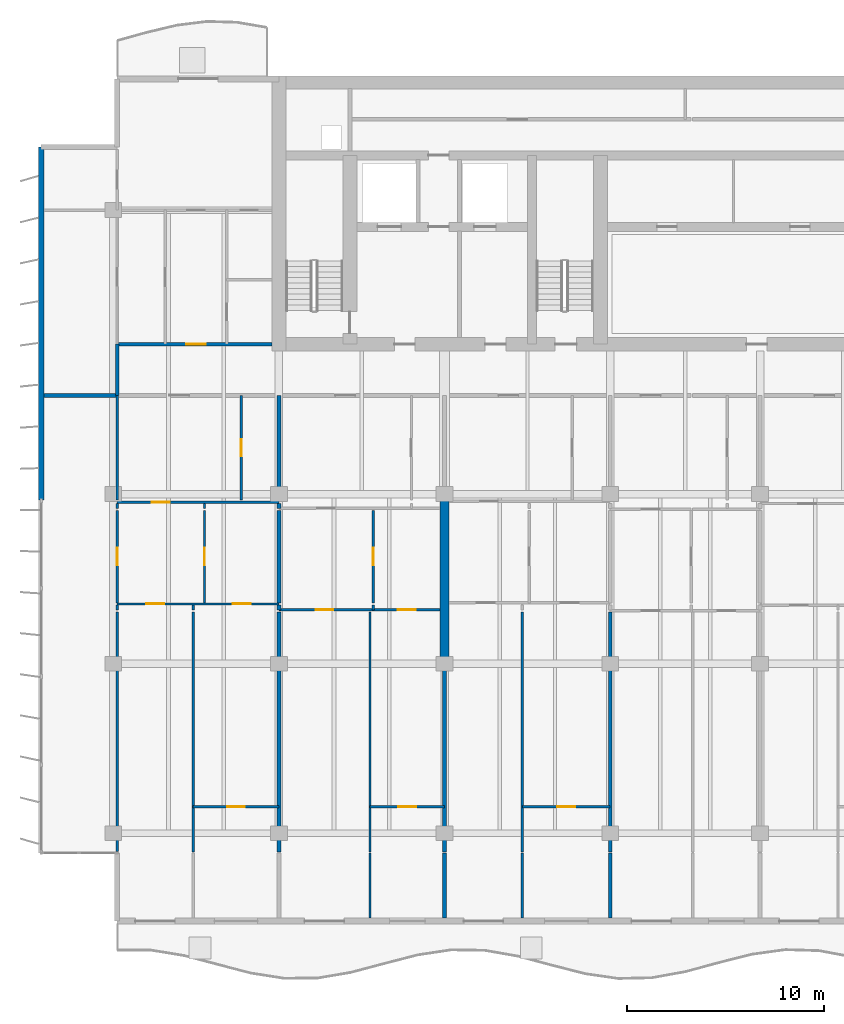
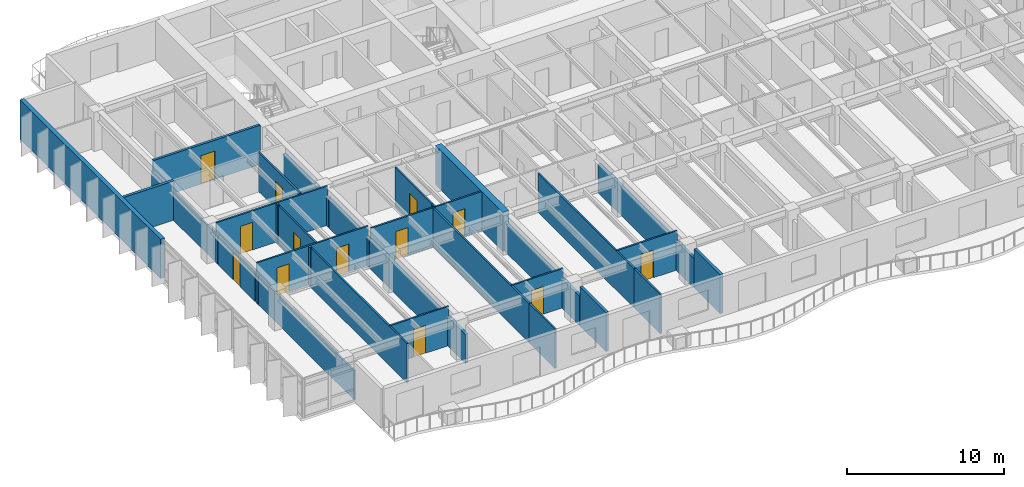
# One storey, part 8 of 19: 36 walls, 13 doors, 13 openings.
"""IFC4 building model written with IfcOpenShell, lengths in metres."""

from ifc_helpers import new_model, si_unit, direction, frame, frame_2d, origin, place, context, subcontext, project, spatial, rectangle, extrude, material, layer, layer_set, type_object, element, fill, save


model = new_model("IFC4")

# Units and contexts
model_context = context("Model", 3, precision=1e-05, world=origin(), true_north=direction((0.0, 1.0)))
body_context = subcontext(model_context, "Body", "Model", "MODEL_VIEW")
ifc_project = project(units=[si_unit("LENGTHUNIT", "METRE"), si_unit("AREAUNIT", "SQUARE_METRE"), si_unit("VOLUMEUNIT", "CUBIC_METRE"), si_unit("PLANEANGLEUNIT", "RADIAN"), si_unit("MASSUNIT", "GRAM", prefix="KILO")], contexts=[model_context])

# Site, building, storey
site_placement = place(None, origin())
site = spatial("IfcSite", under=ifc_project, at=site_placement, CompositionType="ELEMENT")
building_placement = place(site_placement, origin())
building = spatial("IfcBuilding", under=site, at=building_placement, Name="Caelmar Bay Residences", CompositionType="ELEMENT")
storey_placement = place(building_placement, frame((0.0, 0.0, 214.800048828125)))
storey = spatial("IfcBuildingStorey", under=building, at=storey_placement, Name="L60", CompositionType="ELEMENT", Elevation=214.800048828125)

# Walls
ifc_material_1 = material(Name="Concrete f'c 55 MPa (8,000 psi)", Category="concrete")
ifc_layer_1 = layer(ifc_material_1, 0.449951171875)
ifc_layer_set_1 = layer_set([ifc_layer_1], Name="Concrete f'c 55 MPa (8,000 psi)")
wall_type_1 = type_object("IfcWallType", Name="SW-XSLB-450", PredefinedType="SHEAR", material=ifc_layer_set_1)
wall_1_placement = place(storey_placement, frame((26.699951171875, 20.800048828125, 0.0), z_axis=(0.0, 0.0, 1.0), x_axis=(0.0, 1.0, 0.0)))
element("IfcWall", 1, at=wall_1_placement, inside=storey, type_object=wall_type_1, Name="L60 Transverse Cross-Slab Shear Wall W5", PredefinedType="SHEAR", context=body_context, shape_type="SweptSolid", body=[
    extrude(rectangle(XDim=8.599853515625, YDim=0.449951171875, at=frame_2d((4.2998046875, 0.0))), origin(), (0.0, 0.0, 1.0), 3.050048828125),
])
ifc_material_2 = material(Name="Double-stud acoustic fire-rated gypsum partition 180 mm")
ifc_layer_2 = layer(ifc_material_2, 0.179931640625)
ifc_layer_set_2 = layer_set([ifc_layer_2], Name="Double-stud acoustic fire-rated gypsum partition 180 mm")
wall_type_2 = type_object("IfcWallType", Name="W-COR-200", PredefinedType="PARTITIONING", material=ifc_layer_set_2)
wall_2_placement = place(storey_placement, frame((10.10009765625, 34.405029296875, 0.0), z_axis=(0.0, 0.0, 1.0), x_axis=(0.0, 1.0, 0.0)))
element("IfcWall", 2, at=wall_2_placement, inside=storey, type_object=wall_type_2, Name="L60 Partition Wall V006", PredefinedType="PARTITIONING", context=body_context, shape_type="SweptSolid", body=[
    extrude(rectangle(XDim=2.594970703125, YDim=0.179931640625, at=frame_2d((1.29736328125, 0.0))), origin(), (0.0, 0.0, 1.0), 2.262939453125),
])

# Wall, opening, door
wall_3_placement = place(storey_placement, frame((10.10009765625, 37.0, 0.0), z_axis=(0.0, 0.0, 1.0), x_axis=(1.0, 0.0, 0.0)))
wall_3 = element("IfcWall", 3, at=wall_3_placement, inside=storey, type_object=wall_type_2, Name="L60 Partition Wall H130", PredefinedType="PARTITIONING", context=body_context, shape_type="SweptSolid", body=[
    extrude(rectangle(XDim=7.844970703125, YDim=0.179931640625, at=frame_2d((3.92236328125, 0.0))), origin(), (0.0, 0.0, 1.0), 3.050048828125),
])
opening_1_placement = place(wall_3_placement, frame((3.49609375, 0.0, 0.0)))
opening_1 = element("IfcOpeningElement", 4, at=opening_1_placement, cuts=wall_3, Name="Opening D-L60-171", PredefinedType="OPENING", context=body_context, shape_type="SweptSolid", body=[
    extrude(rectangle(XDim=1.0, YDim=2.199951171875, at=frame_2d((0.5, 1.10009765625))), frame((0.0, 0.099853515625, 0.0), z_axis=(0.0, -1.0, 0.0), x_axis=(1.0, 0.0, 0.0)), (0.0, 0.0, 1.0), 0.199951171875),
])
ifc_material_3 = material(Name="Fire-rated steel and walnut architectural door assembly", Category="steel")
ifc_layer_3 = layer(ifc_material_3, 0.050048828125)
ifc_layer_set_3 = layer_set([ifc_layer_3], Name="Fire-rated steel and walnut architectural door assembly")
door_type_1 = type_object("IfcDoorType", Name="D-UNIT-1000", OperationType="NOTDEFINED", PredefinedType="DOOR", material=ifc_layer_set_3)
door_1_placement = place(opening_1_placement, origin())
door_1 = element("IfcDoor", 5, at=door_1_placement, inside=storey, type_object=door_type_1, Name="L60 Residence WA Kitchen Door", OperationType="SINGLE_SWING_RIGHT", OverallHeight=2.199951171875, OverallWidth=1.0, PredefinedType="DOOR", context=body_context, shape_type="SweptSolid", body=[
    extrude(rectangle(XDim=1.0, YDim=2.199951171875, at=frame_2d((0.5, 1.10009765625))), frame((0.0, 0.02490234375, 0.0), z_axis=(0.0, -1.0, 0.0), x_axis=(1.0, 0.0, 0.0)), (0.0, 0.0, 1.0), 0.050048828125),
])
fill(opening_1, door_1)

# Walls
ifc_material_4 = material(Name="Precast concrete f'c 40 MPa (6,000 psi)", Category="concrete")
ifc_layer_4 = layer(ifc_material_4, 0.300048828125)
ifc_layer_set_4 = layer_set([ifc_layer_4], Name="Precast concrete f'c 40 MPa (6,000 psi)")
wall_type_3 = type_object("IfcWallType", Name="W-EXT-300", PredefinedType="STANDARD", material=ifc_layer_set_4)
wall_4_placement = place(storey_placement, frame((6.25, 29.10009765625, 0.0), z_axis=(0.0, 0.0, 1.0), x_axis=(0.0, 1.0, 0.0)))
element("IfcWall", 6, at=wall_4_placement, inside=storey, type_object=wall_type_3, Name="L60 West Rear Exterior Wall", PredefinedType="STANDARD", context=body_context, shape_type="SweptSolid", body=[
    extrude(rectangle(XDim=17.89990234375, YDim=0.300048828125, at=frame_2d((8.949951171875, 0.0))), origin(), (0.0, 0.0, 1.0), 3.050048828125),
])
ifc_material_5 = material(Name="Acoustic metal-stud gypsum partition 120 mm")
ifc_layer_5 = layer(ifc_material_5, 0.1201171875)
ifc_layer_set_5 = layer_set([ifc_layer_5], Name="Acoustic metal-stud gypsum partition 120 mm")
wall_type_4 = type_object("IfcWallType", Name="W-PRT-120", PredefinedType="PARTITIONING", material=ifc_layer_set_5)
wall_5_placement = place(storey_placement, frame((10.10009765625, 11.284912109375, 0.0), z_axis=(0.0, 0.0, 1.0), x_axis=(0.0, 1.0, 0.0)))
element("IfcWall", 7, at=wall_5_placement, inside=storey, type_object=wall_type_4, Name="L60 Partition Wall V001", PredefinedType="PARTITIONING", context=body_context, shape_type="SweptSolid", body=[
    extrude(rectangle(XDim=12.14501953125, YDim=0.1201171875, at=frame_2d((6.072509765625, 0.0))), origin(), (0.0, 0.0, 1.0), 2.262939453125),
])
wall_6_placement = place(storey_placement, frame((10.10009765625, 23.530029296875, 0.0), z_axis=(0.0, 0.0, 1.0), x_axis=(0.0, 1.0, 0.0)))
element("IfcWall", 8, at=wall_6_placement, inside=storey, type_object=wall_type_4, Name="L60 Partition Wall V002", PredefinedType="PARTITIONING", context=body_context, shape_type="SweptSolid", body=[
    extrude(rectangle(XDim=0.239990234375, YDim=0.1201171875, at=frame_2d((0.1201171875, 0.0))), origin(), (0.0, 0.0, 1.0), 2.262939453125),
])

# Wall, opening, door
wall_7_placement = place(storey_placement, frame((10.10009765625, 23.889892578125, 0.0), z_axis=(0.0, 0.0, 1.0), x_axis=(0.0, 1.0, 0.0)))
wall_7 = element("IfcWall", 9, at=wall_7_placement, inside=storey, type_object=wall_type_4, Name="L60 Partition Wall V003", PredefinedType="PARTITIONING", context=body_context, shape_type="SweptSolid", body=[
    extrude(rectangle(XDim=4.690185546875, YDim=0.1201171875, at=frame_2d((2.34521484375, 0.0))), origin(), (0.0, 0.0, 1.0), 2.262939453125),
])
opening_2_placement = place(wall_7_placement, frame((1.89501953125, 0.0, 0.0)))
opening_2 = element("IfcOpeningElement", 10, at=opening_2_placement, cuts=wall_7, Name="Opening D-L60-168", PredefinedType="OPENING", context=body_context, shape_type="SweptSolid", body=[
    extrude(rectangle(XDim=0.89990234375, YDim=2.14990234375, at=frame_2d((0.449951171875, 1.074951171875))), frame((0.0, 0.070068359375, 0.0), z_axis=(0.0, -1.0, 0.0), x_axis=(1.0, 0.0, 0.0)), (0.0, 0.0, 1.0), 0.14013671875),
])
ifc_material_6 = material(Name="Solid walnut timber interior door leaf and frame", Category="wood")
ifc_layer_6 = layer(ifc_material_6, 0.050048828125)
ifc_layer_set_6 = layer_set([ifc_layer_6], Name="Solid walnut timber interior door leaf and frame")
door_type_2 = type_object("IfcDoorType", Name="D-ROOM-900", OperationType="NOTDEFINED", PredefinedType="DOOR", material=ifc_layer_set_6)
door_2_placement = place(opening_2_placement, origin())
door_2 = element("IfcDoor", 11, at=door_2_placement, inside=storey, type_object=door_type_2, Name="L60 Residence 01 Penthouse West Salon Door", OperationType="SINGLE_SWING_LEFT", OverallHeight=2.14990234375, OverallWidth=0.89990234375, PredefinedType="DOOR", context=body_context, shape_type="SweptSolid", body=[
    extrude(rectangle(XDim=0.89990234375, YDim=2.14990234375, at=frame_2d((0.449951171875, 1.074951171875))), frame((0.0, 0.02490234375, 0.0), z_axis=(0.0, -1.0, 0.0), x_axis=(1.0, 0.0, 0.0)), (0.0, 0.0, 1.0), 0.050048828125),
])
fill(opening_2, door_2)

# Walls
wall_8_placement = place(storey_placement, frame((10.10009765625, 28.679931640625, 0.0), z_axis=(0.0, 0.0, 1.0), x_axis=(0.0, 1.0, 0.0)))
element("IfcWall", 12, at=wall_8_placement, inside=storey, type_object=wall_type_4, Name="L60 Partition Wall V004", PredefinedType="PARTITIONING", context=body_context, shape_type="SweptSolid", body=[
    extrude(rectangle(XDim=0.239990234375, YDim=0.1201171875, at=frame_2d((0.1201171875, 0.0))), origin(), (0.0, 0.0, 1.0), 2.262939453125),
])
wall_9_placement = place(storey_placement, frame((10.10009765625, 29.10009765625, 0.0), z_axis=(0.0, 0.0, 1.0), x_axis=(0.0, 1.0, 0.0)))
element("IfcWall", 13, at=wall_9_placement, inside=storey, type_object=wall_type_4, Name="L60 Partition Wall V005", PredefinedType="PARTITIONING", context=body_context, shape_type="SweptSolid", body=[
    extrude(rectangle(XDim=5.2998046875, YDim=0.1201171875, at=frame_2d((2.64990234375, 0.0))), origin(), (0.0, 0.0, 1.0), 2.262939453125),
])
wall_10_placement = place(storey_placement, frame((13.9541015625, 11.239990234375, 0.0), z_axis=(0.0, 0.0, 1.0), x_axis=(0.0, 1.0, 0.0)))
element("IfcWall", 14, at=wall_10_placement, inside=storey, type_object=wall_type_4, Name="L60 Partition Wall V011", PredefinedType="PARTITIONING", context=body_context, shape_type="SweptSolid", body=[
    extrude(rectangle(XDim=12.18994140625, YDim=0.1201171875, at=frame_2d((6.094970703125, 0.0))), origin(), (0.0, 0.0, 1.0), 3.050048828125),
])
wall_11_placement = place(storey_placement, frame((13.9541015625, 23.530029296875, 0.0), z_axis=(0.0, 0.0, 1.0), x_axis=(0.0, 1.0, 0.0)))
element("IfcWall", 15, at=wall_11_placement, inside=storey, type_object=wall_type_4, Name="L60 Partition Wall V012", PredefinedType="PARTITIONING", context=body_context, shape_type="SweptSolid", body=[
    extrude(rectangle(XDim=0.239990234375, YDim=0.1201171875, at=frame_2d((0.1201171875, 0.0))), origin(), (0.0, 0.0, 1.0), 3.050048828125),
])

# Wall, opening, door
wall_12_placement = place(storey_placement, frame((14.528076171875, 23.889892578125, 0.0), z_axis=(0.0, 0.0, 1.0), x_axis=(0.0, 1.0, 0.0)))
wall_12 = element("IfcWall", 16, at=wall_12_placement, inside=storey, type_object=wall_type_4, Name="L60 Partition Wall V013", PredefinedType="PARTITIONING", context=body_context, shape_type="SweptSolid", body=[
    extrude(rectangle(XDim=4.690185546875, YDim=0.1201171875, at=frame_2d((2.34521484375, 0.0))), origin(), (0.0, 0.0, 1.0), 3.050048828125),
])
opening_3_placement = place(wall_12_placement, frame((1.89501953125, 0.0, 0.0)))
opening_3 = element("IfcOpeningElement", 17, at=opening_3_placement, cuts=wall_12, Name="Opening D-L60-123", PredefinedType="OPENING", context=body_context, shape_type="SweptSolid", body=[
    extrude(rectangle(XDim=0.89990234375, YDim=2.14990234375, at=frame_2d((0.449951171875, 1.074951171875))), frame((0.0, 0.070068359375, 0.0), z_axis=(0.0, -1.0, 0.0), x_axis=(1.0, 0.0, 0.0)), (0.0, 0.0, 1.0), 0.14013671875),
])
door_3_placement = place(opening_3_placement, origin())
door_3 = element("IfcDoor", 18, at=door_3_placement, inside=storey, type_object=door_type_2, Name="L60 Residence 01 Curator Office Door", OperationType="SINGLE_SWING_RIGHT", OverallHeight=2.14990234375, OverallWidth=0.89990234375, PredefinedType="DOOR", context=body_context, shape_type="SweptSolid", body=[
    extrude(rectangle(XDim=0.89990234375, YDim=2.14990234375, at=frame_2d((0.449951171875, 1.074951171875))), frame((0.0, 0.02490234375, 0.0), z_axis=(0.0, -1.0, 0.0), x_axis=(1.0, 0.0, 0.0)), (0.0, 0.0, 1.0), 0.050048828125),
])
fill(opening_3, door_3)

# Wall
wall_13_placement = place(storey_placement, frame((14.528076171875, 28.679931640625, 0.0), z_axis=(0.0, 0.0, 1.0), x_axis=(0.0, 1.0, 0.0)))
element("IfcWall", 19, at=wall_13_placement, inside=storey, type_object=wall_type_4, Name="L60 Partition Wall V014", PredefinedType="PARTITIONING", context=body_context, shape_type="SweptSolid", body=[
    extrude(rectangle(XDim=0.239990234375, YDim=0.1201171875, at=frame_2d((0.1201171875, 0.0))), origin(), (0.0, 0.0, 1.0), 3.050048828125),
])

# Wall, opening, door
wall_14_placement = place(storey_placement, frame((16.39990234375, 29.10009765625, 0.0), z_axis=(0.0, 0.0, 1.0), x_axis=(0.0, 1.0, 0.0)))
wall_14 = element("IfcWall", 20, at=wall_14_placement, inside=storey, type_object=wall_type_4, Name="L60 Partition Wall V016", PredefinedType="PARTITIONING", context=body_context, shape_type="SweptSolid", body=[
    extrude(rectangle(XDim=5.2998046875, YDim=0.1201171875, at=frame_2d((2.64990234375, 0.0))), origin(), (0.0, 0.0, 1.0), 3.050048828125),
])
opening_4_placement = place(wall_14_placement, frame((2.22509765625, 0.0, 0.0)))
opening_4 = element("IfcOpeningElement", 21, at=opening_4_placement, cuts=wall_14, Name="Opening D-L60-121", PredefinedType="OPENING", context=body_context, shape_type="SweptSolid", body=[
    extrude(rectangle(XDim=0.85009765625, YDim=2.10009765625, at=frame_2d((0.425048828125, 1.050048828125))), frame((0.0, 0.070068359375, 0.0), z_axis=(0.0, -1.0, 0.0), x_axis=(1.0, 0.0, 0.0)), (0.0, 0.0, 1.0), 0.14013671875),
])
ifc_layer_7 = layer(ifc_material_6, 0.050048828125)
ifc_layer_set_7 = layer_set([ifc_layer_7], Name="Solid walnut timber interior door leaf and frame")
door_type_3 = type_object("IfcDoorType", Name="D-BATH-850", OperationType="NOTDEFINED", PredefinedType="DOOR", material=ifc_layer_set_7)
door_4_placement = place(opening_4_placement, origin())
door_4 = element("IfcDoor", 22, at=door_4_placement, inside=storey, type_object=door_type_3, Name="L60 Residence 01 Bathroom Door", OperationType="SINGLE_SWING_RIGHT", OverallHeight=2.10009765625, OverallWidth=0.85009765625, PredefinedType="DOOR", context=body_context, shape_type="SweptSolid", body=[
    extrude(rectangle(XDim=0.85009765625, YDim=2.10009765625, at=frame_2d((0.425048828125, 1.050048828125))), frame((0.0, 0.02490234375, 0.0), z_axis=(0.0, -1.0, 0.0), x_axis=(1.0, 0.0, 0.0)), (0.0, 0.0, 1.0), 0.050048828125),
])
fill(opening_4, door_4)

# Walls
wall_15_placement = place(storey_placement, frame((22.919921875, 7.89501953125, 0.0), z_axis=(0.0, 0.0, 1.0), x_axis=(0.0, 1.0, 0.0)))
element("IfcWall", 23, at=wall_15_placement, inside=storey, type_object=wall_type_4, Name="L60 Partition Wall V024", PredefinedType="PARTITIONING", context=body_context, shape_type="SweptSolid", body=[
    extrude(rectangle(XDim=3.304931640625, YDim=0.1201171875, at=frame_2d((1.65234375, 0.0))), origin(), (0.0, 0.0, 1.0), 3.050048828125),
])
wall_16_placement = place(storey_placement, frame((22.919921875, 11.239990234375, 0.0), z_axis=(0.0, 0.0, 1.0), x_axis=(0.0, 1.0, 0.0)))
element("IfcWall", 24, at=wall_16_placement, inside=storey, type_object=wall_type_4, Name="L60 Partition Wall V025", PredefinedType="PARTITIONING", context=body_context, shape_type="SweptSolid", body=[
    extrude(rectangle(XDim=12.18994140625, YDim=0.1201171875, at=frame_2d((6.094970703125, 0.0))), origin(), (0.0, 0.0, 1.0), 3.050048828125),
])
wall_17_placement = place(storey_placement, frame((23.0859375, 23.530029296875, 0.0), z_axis=(0.0, 0.0, 1.0), x_axis=(0.0, 1.0, 0.0)))
element("IfcWall", 25, at=wall_17_placement, inside=storey, type_object=wall_type_4, Name="L60 Partition Wall V026", PredefinedType="PARTITIONING", context=body_context, shape_type="SweptSolid", body=[
    extrude(rectangle(XDim=0.239990234375, YDim=0.1201171875, at=frame_2d((0.1201171875, 0.0))), origin(), (0.0, 0.0, 1.0), 3.050048828125),
])

# Wall, opening, door
wall_18_placement = place(storey_placement, frame((23.0859375, 23.889892578125, 0.0), z_axis=(0.0, 0.0, 1.0), x_axis=(0.0, 1.0, 0.0)))
wall_18 = element("IfcWall", 26, at=wall_18_placement, inside=storey, type_object=wall_type_4, Name="L60 Partition Wall V027", PredefinedType="PARTITIONING", context=body_context, shape_type="SweptSolid", body=[
    extrude(rectangle(XDim=4.690185546875, YDim=0.1201171875, at=frame_2d((2.34521484375, 0.0))), origin(), (0.0, 0.0, 1.0), 3.050048828125),
])
opening_5_placement = place(wall_18_placement, frame((1.89501953125, 0.0, 0.0)))
opening_5 = element("IfcOpeningElement", 27, at=opening_5_placement, cuts=wall_18, Name="Opening D-L60-130", PredefinedType="OPENING", context=body_context, shape_type="SweptSolid", body=[
    extrude(rectangle(XDim=0.89990234375, YDim=2.14990234375, at=frame_2d((0.449951171875, 1.074951171875))), frame((0.0, 0.070068359375, 0.0), z_axis=(0.0, -1.0, 0.0), x_axis=(1.0, 0.0, 0.0)), (0.0, 0.0, 1.0), 0.14013671875),
])
door_5_placement = place(opening_5_placement, origin())
door_5 = element("IfcDoor", 28, at=door_5_placement, inside=storey, type_object=door_type_2, Name="L60 Residence 02 Curator Office Door", OperationType="SINGLE_SWING_LEFT", OverallHeight=2.14990234375, OverallWidth=0.89990234375, PredefinedType="DOOR", context=body_context, shape_type="SweptSolid", body=[
    extrude(rectangle(XDim=0.89990234375, YDim=2.14990234375, at=frame_2d((0.449951171875, 1.074951171875))), frame((0.0, 0.02490234375, 0.0), z_axis=(0.0, -1.0, 0.0), x_axis=(1.0, 0.0, 0.0)), (0.0, 0.0, 1.0), 0.050048828125),
])
fill(opening_5, door_5)

# Walls
wall_19_placement = place(storey_placement, frame((30.64794921875, 7.89501953125, 0.0), z_axis=(0.0, 0.0, 1.0), x_axis=(0.0, 1.0, 0.0)))
element("IfcWall", 29, at=wall_19_placement, inside=storey, type_object=wall_type_4, Name="L60 Partition Wall V036", PredefinedType="PARTITIONING", context=body_context, shape_type="SweptSolid", body=[
    extrude(rectangle(XDim=3.304931640625, YDim=0.1201171875, at=frame_2d((1.65234375, 0.0))), origin(), (0.0, 0.0, 1.0), 3.050048828125),
])
wall_20_placement = place(storey_placement, frame((30.64794921875, 11.239990234375, 0.0), z_axis=(0.0, 0.0, 1.0), x_axis=(0.0, 1.0, 0.0)))
element("IfcWall", 30, at=wall_20_placement, inside=storey, type_object=wall_type_4, Name="L60 Partition Wall V037", PredefinedType="PARTITIONING", context=body_context, shape_type="SweptSolid", body=[
    extrude(rectangle(XDim=12.18994140625, YDim=0.1201171875, at=frame_2d((6.094970703125, 0.0))), origin(), (0.0, 0.0, 1.0), 3.050048828125),
])

# Wall, opening, door
wall_21_placement = place(storey_placement, frame((13.9541015625, 13.550048828125, 0.0), z_axis=(0.0, 0.0, 1.0), x_axis=(1.0, 0.0, 0.0)))
wall_21 = element("IfcWall", 31, at=wall_21_placement, inside=storey, type_object=wall_type_4, Name="L60 Partition Wall H104", PredefinedType="PARTITIONING", context=body_context, shape_type="SweptSolid", body=[
    extrude(rectangle(XDim=4.345947265625, YDim=0.1201171875, at=frame_2d((2.1728515625, 0.0))), origin(), (0.0, 0.0, 1.0), 3.050048828125),
])
opening_6_placement = place(wall_21_placement, frame((1.722900390625, 0.0, 0.0)))
opening_6 = element("IfcOpeningElement", 32, at=opening_6_placement, cuts=wall_21, Name="Opening D-L60-126", PredefinedType="OPENING", context=body_context, shape_type="SweptSolid", body=[
    extrude(rectangle(XDim=0.89990234375, YDim=2.14990234375, at=frame_2d((0.449951171875, 1.074951171875))), frame((0.0, 0.070068359375, 0.0), z_axis=(0.0, -1.0, 0.0), x_axis=(1.0, 0.0, 0.0)), (0.0, 0.0, 1.0), 0.14013671875),
])
door_6_placement = place(opening_6_placement, origin())
door_6 = element("IfcDoor", 33, at=door_6_placement, inside=storey, type_object=door_type_2, Name="L60 Residence 01 Primary Bedroom Door", OperationType="SINGLE_SWING_LEFT", OverallHeight=2.14990234375, OverallWidth=0.89990234375, PredefinedType="DOOR", context=body_context, shape_type="SweptSolid", body=[
    extrude(rectangle(XDim=0.89990234375, YDim=2.14990234375, at=frame_2d((0.449951171875, 1.074951171875))), frame((0.0, 0.02490234375, 0.0), z_axis=(0.0, -1.0, 0.0), x_axis=(1.0, 0.0, 0.0)), (0.0, 0.0, 1.0), 0.050048828125),
])
fill(opening_6, door_6)

wall_22_placement = place(storey_placement, frame((22.919921875, 13.550048828125, 0.0), z_axis=(0.0, 0.0, 1.0), x_axis=(1.0, 0.0, 0.0)))
wall_22 = element("IfcWall", 34, at=wall_22_placement, inside=storey, type_object=wall_type_4, Name="L60 Partition Wall H105", PredefinedType="PARTITIONING", context=body_context, shape_type="SweptSolid", body=[
    extrude(rectangle(XDim=3.780029296875, YDim=0.1201171875, at=frame_2d((1.89013671875, 0.0))), origin(), (0.0, 0.0, 1.0), 3.050048828125),
])
opening_7_placement = place(wall_22_placement, frame((1.43994140625, 0.0, 0.0)))
opening_7 = element("IfcOpeningElement", 35, at=opening_7_placement, cuts=wall_22, Name="Opening D-L60-133", PredefinedType="OPENING", context=body_context, shape_type="SweptSolid", body=[
    extrude(rectangle(XDim=0.89990234375, YDim=2.14990234375, at=frame_2d((0.449951171875, 1.074951171875))), frame((0.0, 0.070068359375, 0.0), z_axis=(0.0, -1.0, 0.0), x_axis=(1.0, 0.0, 0.0)), (0.0, 0.0, 1.0), 0.14013671875),
])
door_7_placement = place(opening_7_placement, origin())
door_7 = element("IfcDoor", 36, at=door_7_placement, inside=storey, type_object=door_type_2, Name="L60 Residence 02 Primary Bedroom Door", OperationType="SINGLE_SWING_RIGHT", OverallHeight=2.14990234375, OverallWidth=0.89990234375, PredefinedType="DOOR", context=body_context, shape_type="SweptSolid", body=[
    extrude(rectangle(XDim=0.89990234375, YDim=2.14990234375, at=frame_2d((0.449951171875, 1.074951171875))), frame((0.0, 0.02490234375, 0.0), z_axis=(0.0, -1.0, 0.0), x_axis=(1.0, 0.0, 0.0)), (0.0, 0.0, 1.0), 0.050048828125),
])
fill(opening_7, door_7)

wall_23_placement = place(storey_placement, frame((30.64794921875, 13.550048828125, 0.0), z_axis=(0.0, 0.0, 1.0), x_axis=(1.0, 0.0, 0.0)))
wall_23 = element("IfcWall", 37, at=wall_23_placement, inside=storey, type_object=wall_type_4, Name="L60 Partition Wall H106", PredefinedType="PARTITIONING", context=body_context, shape_type="SweptSolid", body=[
    extrude(rectangle(XDim=4.4521484375, YDim=0.1201171875, at=frame_2d((2.22607421875, 0.0))), origin(), (0.0, 0.0, 1.0), 3.050048828125),
])
opening_8_placement = place(wall_23_placement, frame((1.77587890625, 0.0, 0.0)))
opening_8 = element("IfcOpeningElement", 38, at=opening_8_placement, cuts=wall_23, Name="Opening D-L60-140", PredefinedType="OPENING", context=body_context, shape_type="SweptSolid", body=[
    extrude(rectangle(XDim=0.89990234375, YDim=2.14990234375, at=frame_2d((0.449951171875, 1.074951171875))), frame((0.0, 0.070068359375, 0.0), z_axis=(0.0, -1.0, 0.0), x_axis=(1.0, 0.0, 0.0)), (0.0, 0.0, 1.0), 0.14013671875),
])
door_8_placement = place(opening_8_placement, origin())
door_8 = element("IfcDoor", 39, at=door_8_placement, inside=storey, type_object=door_type_2, Name="L60 Residence 03 Primary Bedroom Door", OperationType="SINGLE_SWING_LEFT", OverallHeight=2.14990234375, OverallWidth=0.89990234375, PredefinedType="DOOR", context=body_context, shape_type="SweptSolid", body=[
    extrude(rectangle(XDim=0.89990234375, YDim=2.14990234375, at=frame_2d((0.449951171875, 1.074951171875))), frame((0.0, 0.02490234375, 0.0), z_axis=(0.0, -1.0, 0.0), x_axis=(1.0, 0.0, 0.0)), (0.0, 0.0, 1.0), 0.050048828125),
])
fill(opening_8, door_8)

# Wall, openings, doors
wall_24_placement = place(storey_placement, frame((18.300048828125, 23.530029296875, 0.0), z_axis=(0.0, 0.0, 1.0), x_axis=(1.0, 0.0, 0.0)))
wall_24 = element("IfcWall", 40, at=wall_24_placement, inside=storey, type_object=wall_type_4, Name="L60 Partition Wall H113", PredefinedType="PARTITIONING", context=body_context, shape_type="SweptSolid", body=[
    extrude(rectangle(XDim=8.179931640625, YDim=0.1201171875, at=frame_2d((4.08984375, 0.0))), origin(), (0.0, 0.0, 1.0), 3.050048828125),
])
opening_9_placement = place(wall_24_placement, frame((1.860107421875, 0.0, 0.0)))
opening_9 = element("IfcOpeningElement", 41, at=opening_9_placement, cuts=wall_24, Name="Opening D-L60-131", PredefinedType="OPENING", context=body_context, shape_type="SweptSolid", body=[
    extrude(rectangle(XDim=0.89990234375, YDim=2.14990234375, at=frame_2d((0.449951171875, 1.074951171875))), frame((0.0, 0.070068359375, 0.0), z_axis=(0.0, -1.0, 0.0), x_axis=(1.0, 0.0, 0.0)), (0.0, 0.0, 1.0), 0.14013671875),
])
opening_10_placement = place(wall_24_placement, frame((6.032958984375, 0.0, 0.0)))
opening_10 = element("IfcOpeningElement", 42, at=opening_10_placement, cuts=wall_24, Name="Opening D-L60-132", PredefinedType="OPENING", context=body_context, shape_type="SweptSolid", body=[
    extrude(rectangle(XDim=0.89990234375, YDim=2.14990234375, at=frame_2d((0.449951171875, 1.074951171875))), frame((0.0, 0.070068359375, 0.0), z_axis=(0.0, -1.0, 0.0), x_axis=(1.0, 0.0, 0.0)), (0.0, 0.0, 1.0), 0.14013671875),
])
door_9_placement = place(opening_9_placement, origin())
door_9 = element("IfcDoor", 43, at=door_9_placement, inside=storey, type_object=door_type_2, Name="L60 Residence 02 Living Room Door", OperationType="SINGLE_SWING_RIGHT", OverallHeight=2.14990234375, OverallWidth=0.89990234375, PredefinedType="DOOR", context=body_context, shape_type="SweptSolid", body=[
    extrude(rectangle(XDim=0.89990234375, YDim=2.14990234375, at=frame_2d((0.449951171875, 1.074951171875))), frame((0.0, 0.02490234375, 0.0), z_axis=(0.0, -1.0, 0.0), x_axis=(1.0, 0.0, 0.0)), (0.0, 0.0, 1.0), 0.050048828125),
])
fill(opening_9, door_9)
door_10_placement = place(opening_10_placement, origin())
door_10 = element("IfcDoor", 44, at=door_10_placement, inside=storey, type_object=door_type_2, Name="L60 Residence 02 Penthouse Sitting Room Door", OperationType="SINGLE_SWING_LEFT", OverallHeight=2.14990234375, OverallWidth=0.89990234375, PredefinedType="DOOR", context=body_context, shape_type="SweptSolid", body=[
    extrude(rectangle(XDim=0.89990234375, YDim=2.14990234375, at=frame_2d((0.449951171875, 1.074951171875))), frame((0.0, 0.02490234375, 0.0), z_axis=(0.0, -1.0, 0.0), x_axis=(1.0, 0.0, 0.0)), (0.0, 0.0, 1.0), 0.050048828125),
])
fill(opening_10, door_10)

wall_25_placement = place(storey_placement, frame((10.10009765625, 23.830078125, 0.0), z_axis=(0.0, 0.0, 1.0), x_axis=(1.0, 0.0, 0.0)))
wall_25 = element("IfcWall", 45, at=wall_25_placement, inside=storey, type_object=wall_type_4, Name="L60 Partition Wall H115", PredefinedType="PARTITIONING", context=body_context, shape_type="SweptSolid", body=[
    extrude(rectangle(XDim=8.199951171875, YDim=0.1201171875, at=frame_2d((4.10009765625, 0.0))), origin(), (0.0, 0.0, 1.0), 3.050048828125),
])
opening_11_placement = place(wall_25_placement, frame((1.47705078125, 0.0, 0.0)))
opening_11 = element("IfcOpeningElement", 46, at=opening_11_placement, cuts=wall_25, Name="Opening D-L60-124", PredefinedType="OPENING", context=body_context, shape_type="SweptSolid", body=[
    extrude(rectangle(XDim=0.89990234375, YDim=2.14990234375, at=frame_2d((0.449951171875, 1.074951171875))), frame((0.0, 0.070068359375, 0.0), z_axis=(0.0, -1.0, 0.0), x_axis=(1.0, 0.0, 0.0)), (0.0, 0.0, 1.0), 0.14013671875),
])
opening_12_placement = place(wall_25_placement, frame((5.864013671875, 0.0, 0.0)))
opening_12 = element("IfcOpeningElement", 47, at=opening_12_placement, cuts=wall_25, Name="Opening D-L60-125", PredefinedType="OPENING", context=body_context, shape_type="SweptSolid", body=[
    extrude(rectangle(XDim=0.89990234375, YDim=2.14990234375, at=frame_2d((0.449951171875, 1.074951171875))), frame((0.0, 0.070068359375, 0.0), z_axis=(0.0, -1.0, 0.0), x_axis=(1.0, 0.0, 0.0)), (0.0, 0.0, 1.0), 0.14013671875),
])
door_11_placement = place(opening_11_placement, origin())
door_11 = element("IfcDoor", 48, at=door_11_placement, inside=storey, type_object=door_type_2, Name="L60 Residence 01 Living Room Door", OperationType="SINGLE_SWING_LEFT", OverallHeight=2.14990234375, OverallWidth=0.89990234375, PredefinedType="DOOR", context=body_context, shape_type="SweptSolid", body=[
    extrude(rectangle(XDim=0.89990234375, YDim=2.14990234375, at=frame_2d((0.449951171875, 1.074951171875))), frame((0.0, 0.02490234375, 0.0), z_axis=(0.0, -1.0, 0.0), x_axis=(1.0, 0.0, 0.0)), (0.0, 0.0, 1.0), 0.050048828125),
])
fill(opening_11, door_11)
door_12_placement = place(opening_12_placement, origin())
door_12 = element("IfcDoor", 49, at=door_12_placement, inside=storey, type_object=door_type_2, Name="L60 Residence 01 Penthouse Sitting Room Door", OperationType="SINGLE_SWING_RIGHT", OverallHeight=2.14990234375, OverallWidth=0.89990234375, PredefinedType="DOOR", context=body_context, shape_type="SweptSolid", body=[
    extrude(rectangle(XDim=0.89990234375, YDim=2.14990234375, at=frame_2d((0.449951171875, 1.074951171875))), frame((0.0, 0.02490234375, 0.0), z_axis=(0.0, -1.0, 0.0), x_axis=(1.0, 0.0, 0.0)), (0.0, 0.0, 1.0), 0.050048828125),
])
fill(opening_12, door_12)

# Wall, opening, door
wall_26_placement = place(storey_placement, frame((10.10009765625, 28.97998046875, 0.0), z_axis=(0.0, 0.0, 1.0), x_axis=(1.0, 0.0, 0.0)))
wall_26 = element("IfcWall", 50, at=wall_26_placement, inside=storey, type_object=wall_type_4, Name="L60 Partition Wall H123", PredefinedType="PARTITIONING", context=body_context, shape_type="SweptSolid", body=[
    extrude(rectangle(XDim=8.199951171875, YDim=0.1201171875, at=frame_2d((4.10009765625, 0.0))), origin(), (0.0, 0.0, 1.0), 3.050048828125),
])
opening_13_placement = place(wall_26_placement, frame((1.763916015625, 0.0, 0.0)))
opening_13 = element("IfcOpeningElement", 51, at=opening_13_placement, cuts=wall_26, Name="Opening D-L60-122", PredefinedType="OPENING", context=body_context, shape_type="SweptSolid", body=[
    extrude(rectangle(XDim=0.89990234375, YDim=2.14990234375, at=frame_2d((0.449951171875, 1.074951171875))), frame((0.0, 0.070068359375, 0.0), z_axis=(0.0, -1.0, 0.0), x_axis=(1.0, 0.0, 0.0)), (0.0, 0.0, 1.0), 0.14013671875),
])
door_13_placement = place(opening_13_placement, origin())
door_13 = element("IfcDoor", 52, at=door_13_placement, inside=storey, type_object=door_type_2, Name="L60 Residence 01 Kitchen Door", OperationType="SINGLE_SWING_LEFT", OverallHeight=2.14990234375, OverallWidth=0.89990234375, PredefinedType="DOOR", context=body_context, shape_type="SweptSolid", body=[
    extrude(rectangle(XDim=0.89990234375, YDim=2.14990234375, at=frame_2d((0.449951171875, 1.074951171875))), frame((0.0, 0.02490234375, 0.0), z_axis=(0.0, -1.0, 0.0), x_axis=(1.0, 0.0, 0.0)), (0.0, 0.0, 1.0), 0.050048828125),
])
fill(opening_13, door_13)

# Walls
ifc_material_7 = material(Name="Acoustic twin-stud fire-rated inter-tenancy partition 200 mm")
ifc_layer_8 = layer(ifc_material_7, 0.199951171875)
ifc_layer_set_8 = layer_set([ifc_layer_8], Name="Acoustic twin-stud fire-rated inter-tenancy partition 200 mm")
wall_type_5 = type_object("IfcWallType", Name="W-PTY-200", PredefinedType="PARTITIONING", material=ifc_layer_set_8)
wall_27_placement = place(storey_placement, frame((18.300048828125, 11.239990234375, 0.0), z_axis=(0.0, 0.0, 1.0), x_axis=(0.0, 1.0, 0.0)))
element("IfcWall", 53, at=wall_27_placement, inside=storey, type_object=wall_type_5, Name="L60 Partition Wall V018", PredefinedType="PARTITIONING", context=body_context, shape_type="SweptSolid", body=[
    extrude(rectangle(XDim=12.18994140625, YDim=0.199951171875, at=frame_2d((6.094970703125, 0.0))), origin(), (0.0, 0.0, 1.0), 2.262939453125),
])
wall_28_placement = place(storey_placement, frame((18.300048828125, 23.530029296875, 0.0), z_axis=(0.0, 0.0, 1.0), x_axis=(0.0, 1.0, 0.0)))
element("IfcWall", 54, at=wall_28_placement, inside=storey, type_object=wall_type_5, Name="L60 Partition Wall V019", PredefinedType="PARTITIONING", context=body_context, shape_type="SweptSolid", body=[
    extrude(rectangle(XDim=0.239990234375, YDim=0.199951171875, at=frame_2d((0.1201171875, 0.0))), origin(), (0.0, 0.0, 1.0), 2.262939453125),
])
wall_29_placement = place(storey_placement, frame((18.300048828125, 23.889892578125, 0.0), z_axis=(0.0, 0.0, 1.0), x_axis=(0.0, 1.0, 0.0)))
element("IfcWall", 55, at=wall_29_placement, inside=storey, type_object=wall_type_5, Name="L60 Partition Wall V020", PredefinedType="PARTITIONING", context=body_context, shape_type="SweptSolid", body=[
    extrude(rectangle(XDim=4.690185546875, YDim=0.199951171875, at=frame_2d((2.34521484375, 0.0))), origin(), (0.0, 0.0, 1.0), 2.262939453125),
])
wall_30_placement = place(storey_placement, frame((18.300048828125, 28.679931640625, 0.0), z_axis=(0.0, 0.0, 1.0), x_axis=(0.0, 1.0, 0.0)))
element("IfcWall", 56, at=wall_30_placement, inside=storey, type_object=wall_type_5, Name="L60 Partition Wall V021", PredefinedType="PARTITIONING", context=body_context, shape_type="SweptSolid", body=[
    extrude(rectangle(XDim=0.239990234375, YDim=0.199951171875, at=frame_2d((0.1201171875, 0.0))), origin(), (0.0, 0.0, 1.0), 2.262939453125),
])
wall_31_placement = place(storey_placement, frame((18.300048828125, 29.10009765625, 0.0), z_axis=(0.0, 0.0, 1.0), x_axis=(0.0, 1.0, 0.0)))
element("IfcWall", 57, at=wall_31_placement, inside=storey, type_object=wall_type_5, Name="L60 Partition Wall V022", PredefinedType="PARTITIONING", context=body_context, shape_type="SweptSolid", body=[
    extrude(rectangle(XDim=5.2998046875, YDim=0.199951171875, at=frame_2d((2.64990234375, 0.0))), origin(), (0.0, 0.0, 1.0), 2.262939453125),
])
wall_32_placement = place(storey_placement, frame((26.699951171875, 7.89501953125, 0.0), z_axis=(0.0, 0.0, 1.0), x_axis=(0.0, 1.0, 0.0)))
element("IfcWall", 58, at=wall_32_placement, inside=storey, type_object=wall_type_5, Name="L60 Partition Wall V031", PredefinedType="PARTITIONING", context=body_context, shape_type="SweptSolid", body=[
    extrude(rectangle(XDim=3.304931640625, YDim=0.199951171875, at=frame_2d((1.65234375, 0.0))), origin(), (0.0, 0.0, 1.0), 3.050048828125),
])
wall_33_placement = place(storey_placement, frame((26.699951171875, 11.239990234375, 0.0), z_axis=(0.0, 0.0, 1.0), x_axis=(0.0, 1.0, 0.0)))
element("IfcWall", 59, at=wall_33_placement, inside=storey, type_object=wall_type_5, Name="L60 Partition Wall V032", PredefinedType="PARTITIONING", context=body_context, shape_type="SweptSolid", body=[
    extrude(rectangle(XDim=9.554931640625, YDim=0.199951171875, at=frame_2d((4.77734375, 0.0))), origin(), (0.0, 0.0, 1.0), 2.262939453125),
])
wall_34_placement = place(storey_placement, frame((35.10009765625, 7.89501953125, 0.0), z_axis=(0.0, 0.0, 1.0), x_axis=(0.0, 1.0, 0.0)))
element("IfcWall", 60, at=wall_34_placement, inside=storey, type_object=wall_type_5, Name="L60 Partition Wall V042", PredefinedType="PARTITIONING", context=body_context, shape_type="SweptSolid", body=[
    extrude(rectangle(XDim=3.304931640625, YDim=0.199951171875, at=frame_2d((1.65234375, 0.0))), origin(), (0.0, 0.0, 1.0), 3.050048828125),
])
wall_35_placement = place(storey_placement, frame((35.10009765625, 11.239990234375, 0.0), z_axis=(0.0, 0.0, 1.0), x_axis=(0.0, 1.0, 0.0)))
element("IfcWall", 61, at=wall_35_placement, inside=storey, type_object=wall_type_5, Name="L60 Partition Wall V043", PredefinedType="PARTITIONING", context=body_context, shape_type="SweptSolid", body=[
    extrude(rectangle(XDim=12.18994140625, YDim=0.199951171875, at=frame_2d((6.094970703125, 0.0))), origin(), (0.0, 0.0, 1.0), 2.262939453125),
])
wall_36_placement = place(storey_placement, frame((6.39501953125, 34.39990234375, 0.0), z_axis=(0.0, 0.0, 1.0), x_axis=(1.0, 0.0, 0.0)))
element("IfcWall", 62, at=wall_36_placement, inside=storey, type_object=wall_type_5, Name="L60 Partition Wall H126", PredefinedType="PARTITIONING", context=body_context, shape_type="SweptSolid", body=[
    extrude(rectangle(XDim=3.705078125, YDim=0.199951171875, at=frame_2d((1.8525390625, 0.0))), origin(), (0.0, 0.0, 1.0), 3.050048828125),
])

save(model, "model.ifc")
